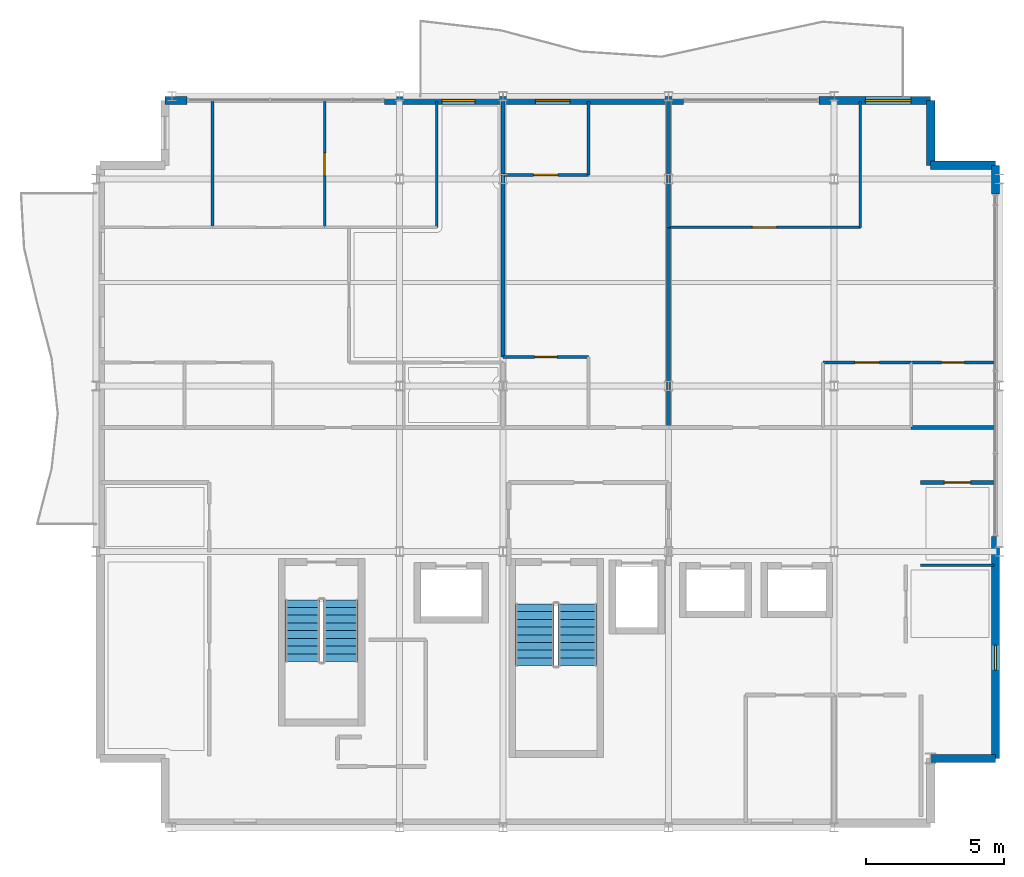
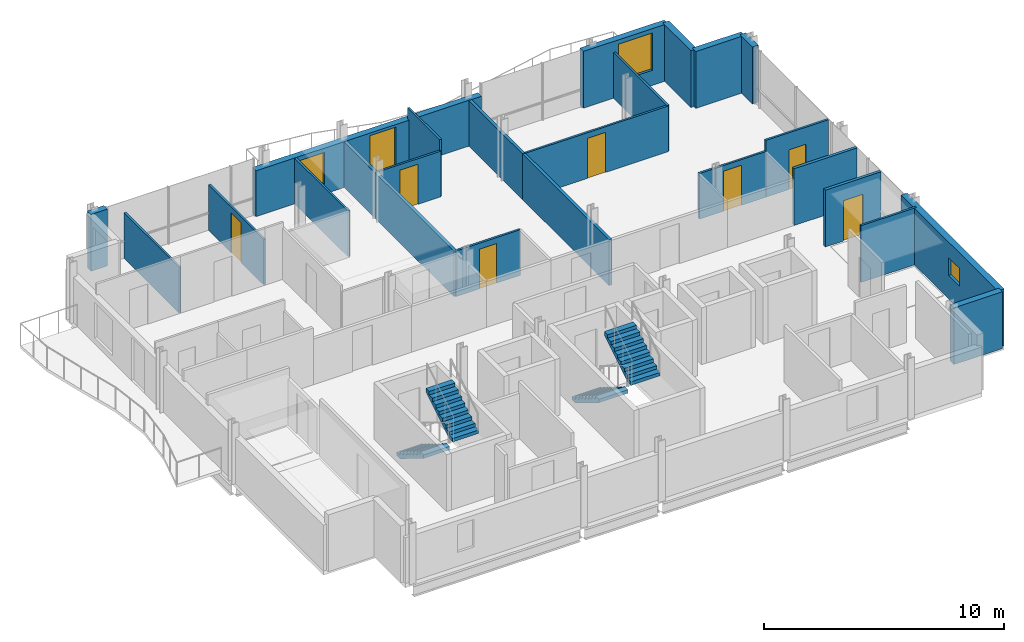
# One storey, part 10 of 12: 25 walls, 8 doors, 4 stair flights, 3 windows, 11 openings, 2 elements without a shape of their own.
"""IFC4 building model written with IfcOpenShell, lengths in metres."""

from ifc_helpers import new_model, si_unit, direction, frame, frame_2d, origin, place, context, subcontext, project, spatial, polyline, rectangle, outline, extrude, material, layer, layer_set, type_object, element, fill, aggregate, save


model = new_model("IFC4")

# Units and contexts
model_context = context("Model", 3, precision=1e-05, world=origin(), true_north=direction((0.0, 1.0)))
body_context = subcontext(model_context, "Body", "Model", "MODEL_VIEW")
ifc_project = project(units=[si_unit("LENGTHUNIT", "METRE"), si_unit("AREAUNIT", "SQUARE_METRE"), si_unit("VOLUMEUNIT", "CUBIC_METRE"), si_unit("PLANEANGLEUNIT", "RADIAN"), si_unit("MASSUNIT", "GRAM", prefix="KILO")], contexts=[model_context])

# Site, building, storey
site_placement = place(None, origin())
site = spatial("IfcSite", under=ifc_project, at=site_placement, CompositionType="ELEMENT")
building_placement = place(site_placement, origin())
building = spatial("IfcBuilding", under=site, at=building_placement, Name="Brevholm Reach", CompositionType="ELEMENT")
storey_placement = place(building_placement, frame((0.0, 0.0, 227.300048828125)))
storey = spatial("IfcBuildingStorey", under=building, at=storey_placement, Name="L69", CompositionType="ELEMENT", Elevation=227.300048828125)

# Walls
ifc_material_1 = material(Name="Concrete C40/50", Category="concrete")
ifc_layer_1 = layer(ifc_material_1, 0.300048828125)
ifc_layer_set_1 = layer_set([ifc_layer_1], Name="Concrete C40/50")
wall_type_1 = type_object("IfcWallType", Name="WAL-EXT-300", PredefinedType="STANDARD", material=ifc_layer_set_1)
for number, where, z_axis, x_axis, name in (
    (1, (57.5, 2.5, 0.0), (0.0, 0.0, 1.0), (1.0, 0.0, 0.0), "L69 Facade Wall WAL-L69-CSE2"),
    (2, (59.85009765625, 24.0, 0.0), (0.0, 0.0, 1.0), (-1.0, 0.0, 0.0), "L69 Facade Wall WAL-L69-CNE1"),
    (3, (57.5, 24.0, 0.0), (0.0, 0.0, 1.0), (0.0, 1.0, 0.0), "L69 Facade Wall WAL-L69-CNE2"),
):
    element("IfcWall", number, at=place(storey_placement, frame(where, z_axis=z_axis, x_axis=x_axis)), inside=storey, type_object=wall_type_1, Name=name, PredefinedType="STANDARD", context=body_context, shape_type="SweptSolid", body=[
        extrude(rectangle(XDim=2.35009765625, YDim=0.300048828125, at=frame_2d((1.175048828125, 0.0))), origin(), (0.0, 0.0, 1.0), 2.889892578125),
    ])

# Wall, opening, window
wall_1_placement = place(storey_placement, frame((59.85009765625, 2.5, 0.0), z_axis=(0.0, 0.0, 1.0), x_axis=(0.0, 1.0, 0.0)))
wall_1 = element("IfcWall", 4, at=wall_1_placement, inside=storey, type_object=wall_type_1, Name="L69 Facade Wall WAL-L69-E-S", PredefinedType="STANDARD", context=body_context, shape_type="SweptSolid", body=[
    extrude(rectangle(XDim=8.050048828125, YDim=0.300048828125, at=frame_2d((4.02490234375, 0.0))), origin(), (0.0, 0.0, 1.0), 2.889892578125),
])
opening_1_placement = place(wall_1_placement, frame((3.199951171875, 0.0, 1.199951171875)))
opening_1 = element("IfcOpeningElement", 5, at=opening_1_placement, cuts=wall_1, Name="Opening WN-09", PredefinedType="OPENING", context=body_context, shape_type="SweptSolid", body=[
    extrude(rectangle(XDim=0.89990234375, YDim=0.89990234375, at=frame_2d((0.449951171875, 0.449951171875))), frame((0.0, 0.159912109375, 0.0), z_axis=(0.0, -1.0, 0.0), x_axis=(1.0, 0.0, 0.0)), (0.0, 0.0, 1.0), 0.320068359375),
])
ifc_material_2 = material(Name="Dark Anodised Aluminium and Solar-Control IGU Glass", Category="aluminium")
window_type_1 = type_object("IfcWindowType", Name="WIN-POR-0900", PartitioningType="SINGLE_PANEL", PredefinedType="WINDOW", material=ifc_material_2)
window_1_placement = place(opening_1_placement, origin())
window_1 = element("IfcWindow", 6, at=window_1_placement, inside=storey, type_object=window_type_1, Name="L69 Window WIN-L69-ES-1", OverallHeight=0.89990234375, OverallWidth=0.89990234375, PartitioningType="SINGLE_PANEL", PredefinedType="WINDOW", context=body_context, shape_type="SweptSolid", body=[
    extrude(rectangle(XDim=0.89990234375, YDim=0.89990234375, at=frame_2d((0.449951171875, 0.449951171875))), frame((0.0, 0.030029296875, 0.0), z_axis=(0.0, -1.0, 0.0), x_axis=(1.0, 0.0, 0.0)), (0.0, 0.0, 1.0), 0.06005859375),
])
fill(opening_1, window_1)

# Walls
wall_2_placement = place(storey_placement, frame((59.85009765625, 22.949951171875, 0.0), z_axis=(0.0, 0.0, 1.0), x_axis=(0.0, 1.0, 0.0)))
element("IfcWall", 7, at=wall_2_placement, inside=storey, type_object=wall_type_1, Name="L69 Facade Wall WAL-L69-E-TOP", PredefinedType="STANDARD", context=body_context, shape_type="SweptSolid", body=[
    extrude(rectangle(XDim=1.050048828125, YDim=0.300048828125, at=frame_2d((0.52490234375, 0.0))), origin(), (0.0, 0.0, 1.0), 2.889892578125),
])
wall_3_placement = place(storey_placement, frame((29.75, 26.35009765625, 0.0), z_axis=(0.0, 0.0, 1.0), x_axis=(1.0, 0.0, 0.0)))
element("IfcWall", 8, at=wall_3_placement, inside=storey, type_object=wall_type_1, Name="L69 Facade Wall WAL-L69-NP-1", PredefinedType="STANDARD", context=body_context, shape_type="SweptSolid", body=[
    extrude(rectangle(XDim=0.800048828125, YDim=0.300048828125, at=frame_2d((0.39990234375, 0.0))), origin(), (0.0, 0.0, 1.0), 2.889892578125),
])

# Wall, openings, door, window
wall_4_placement = place(storey_placement, frame((37.699951171875, 26.35009765625, 0.0), z_axis=(0.0, 0.0, 1.0), x_axis=(1.0, 0.0, 0.0)))
wall_4 = element("IfcWall", 9, at=wall_4_placement, inside=storey, type_object=wall_type_1, Name="L69 Facade Wall WAL-L69-NP-2", PredefinedType="STANDARD", context=body_context, shape_type="SweptSolid", body=[
    extrude(rectangle(XDim=10.85009765625, YDim=0.300048828125, at=frame_2d((5.425048828125, 0.0))), origin(), (0.0, 0.0, 1.0), 2.331787109375),
])
opening_2_placement = place(wall_4_placement, frame((5.47509765625, 0.0, 0.0)))
opening_2 = element("IfcOpeningElement", 10, at=opening_2_placement, cuts=wall_4, Name="Opening BD-02", PredefinedType="OPENING", context=body_context, shape_type="SweptSolid", body=[
    extrude(rectangle(XDim=1.25, YDim=2.199951171875, at=frame_2d((0.625, 1.10009765625))), frame((0.0, 0.159912109375, 0.0), z_axis=(0.0, -1.0, 0.0), x_axis=(1.0, 0.0, 0.0)), (0.0, 0.0, 1.0), 0.320068359375),
])
opening_3_placement = place(wall_4_placement, frame((2.0810546875, 0.0, 0.511962890625)))
opening_3 = element("IfcOpeningElement", 11, at=opening_3_placement, cuts=wall_4, Name="Opening WN-08", PredefinedType="OPENING", context=body_context, shape_type="SweptSolid", body=[
    extrude(rectangle(XDim=1.199951171875, YDim=1.60009765625, at=frame_2d((0.60009765625, 0.800048828125))), frame((0.0, 0.159912109375, 0.0), z_axis=(0.0, -1.0, 0.0), x_axis=(1.0, 0.0, 0.0)), (0.0, 0.0, 1.0), 0.320068359375),
])
ifc_material_3 = material(Name="Dark Anodised Aluminium and Triple-Glazed Glass", Category="aluminium")
door_type_1 = type_object("IfcDoorType", Name="DOR-BALC-1250", OperationType="NOTDEFINED", PredefinedType="DOOR", material=ifc_material_3)
door_1_placement = place(opening_2_placement, origin())
door_1 = element("IfcDoor", 12, at=door_1_placement, inside=storey, type_object=door_type_1, Name="L69 Exterior Door DOR-L69-BL-NE", OperationType="SINGLE_SWING_RIGHT", OverallHeight=2.199951171875, OverallWidth=1.25, PredefinedType="DOOR", context=body_context, shape_type="SweptSolid", body=[
    extrude(rectangle(XDim=1.25, YDim=2.199951171875, at=frame_2d((0.625, 1.10009765625))), frame((0.0, 0.02490234375, 0.0), z_axis=(0.0, -1.0, 0.0), x_axis=(1.0, 0.0, 0.0)), (0.0, 0.0, 1.0), 0.050048828125),
])
fill(opening_2, door_1)
ifc_material_4 = material(Name="Dark Anodised Aluminium and Solar-Control IGU Glass", Category="aluminium")
window_type_2 = type_object("IfcWindowType", Name="WIN-RES-1200", PartitioningType="SINGLE_PANEL", PredefinedType="WINDOW", material=ifc_material_4)
window_2_placement = place(opening_3_placement, origin())
window_2 = element("IfcWindow", 13, at=window_2_placement, inside=storey, type_object=window_type_2, Name="L69 Window WIN-L69-NP-2", OverallHeight=1.60009765625, OverallWidth=1.199951171875, PartitioningType="SINGLE_PANEL", PredefinedType="WINDOW", context=body_context, shape_type="SweptSolid", body=[
    extrude(rectangle(XDim=1.199951171875, YDim=1.60009765625, at=frame_2d((0.60009765625, 0.800048828125))), frame((0.0, 0.030029296875, 0.0), z_axis=(0.0, -1.0, 0.0), x_axis=(1.0, 0.0, 0.0)), (0.0, 0.0, 1.0), 0.06005859375),
])
fill(opening_3, window_2)

# Wall, opening, window
wall_5_placement = place(storey_placement, frame((53.449951171875, 26.35009765625, 0.0), z_axis=(0.0, 0.0, 1.0), x_axis=(1.0, 0.0, 0.0)))
wall_5 = element("IfcWall", 14, at=wall_5_placement, inside=storey, type_object=wall_type_1, Name="L69 Facade Wall WAL-L69-NP-4", PredefinedType="STANDARD", context=body_context, shape_type="SweptSolid", body=[
    extrude(rectangle(XDim=4.050048828125, YDim=0.300048828125, at=frame_2d((2.02490234375, 0.0))), origin(), (0.0, 0.0, 1.0), 2.889892578125),
])
opening_4_placement = place(wall_5_placement, frame((1.679931640625, 0.0, 0.77001953125)))
opening_4 = element("IfcOpeningElement", 15, at=opening_4_placement, cuts=wall_5, Name="Opening WN-06", PredefinedType="OPENING", context=body_context, shape_type="SweptSolid", body=[
    extrude(rectangle(XDim=1.64990234375, YDim=1.89990234375, at=frame_2d((0.824951171875, 0.949951171875))), frame((0.0, 0.159912109375, 0.0), z_axis=(0.0, -1.0, 0.0), x_axis=(1.0, 0.0, 0.0)), (0.0, 0.0, 1.0), 0.320068359375),
])
ifc_material_5 = material(Name="Dark Anodised Aluminium and Solar-Control IGU Glass", Category="aluminium")
window_type_3 = type_object("IfcWindowType", Name="WIN-RES-1650", PartitioningType="SINGLE_PANEL", PredefinedType="WINDOW", material=ifc_material_5)
window_3_placement = place(opening_4_placement, origin())
window_3 = element("IfcWindow", 16, at=window_3_placement, inside=storey, type_object=window_type_3, Name="L69 Window WIN-L69-NP-4", OverallHeight=1.89990234375, OverallWidth=1.64990234375, PartitioningType="SINGLE_PANEL", PredefinedType="WINDOW", context=body_context, shape_type="SweptSolid", body=[
    extrude(rectangle(XDim=1.64990234375, YDim=1.89990234375, at=frame_2d((0.824951171875, 0.949951171875))), frame((0.0, 0.030029296875, 0.0), z_axis=(0.0, -1.0, 0.0), x_axis=(1.0, 0.0, 0.0)), (0.0, 0.0, 1.0), 0.06005859375),
])
fill(opening_4, window_3)

# Walls
ifc_material_6 = material(Name="Moisture-Resistant Acoustic Gypsum Stud Partition 100 mm", Category="gypsum")
ifc_layer_2 = layer(ifc_material_6, 0.10009765625)
ifc_layer_set_2 = layer_set([ifc_layer_2], Name="Moisture-Resistant Acoustic Gypsum Stud Partition 100 mm")
wall_type_2 = type_object("IfcWallType", Name="WAL-PRT-100", PredefinedType="PARTITIONING", material=ifc_layer_set_2)
wall_6_placement = place(storey_placement, frame((57.138671875, 9.5, 0.0), z_axis=(0.0, 0.0, 1.0), x_axis=(1.0, 0.0, 0.0)))
element("IfcWall", 17, at=wall_6_placement, inside=storey, type_object=wall_type_2, Name="L69 Internal Partition 012", PredefinedType="PARTITIONING", context=body_context, shape_type="SweptSolid", body=[
    extrude(rectangle(XDim=2.661376953125, YDim=0.10009765625, at=frame_2d((1.33056640625, 0.0))), origin(), (0.0, 0.0, 1.0), 2.889892578125),
])
wall_7_placement = place(storey_placement, frame((31.467041015625, 21.75, 0.0), z_axis=(0.0, 0.0, 1.0), x_axis=(0.0, 1.0, 0.0)))
element("IfcWall", 18, at=wall_7_placement, inside=storey, type_object=wall_type_2, Name="L69 Internal Partition 031", PredefinedType="PARTITIONING", context=body_context, shape_type="SweptSolid", body=[
    extrude(rectangle(XDim=4.570068359375, YDim=0.10009765625, at=frame_2d((2.28515625, 0.0))), origin(), (0.0, 0.0, 1.0), 2.325439453125),
])

# Wall, opening, door
wall_8_placement = place(storey_placement, frame((35.533935546875, 21.75, 0.0), z_axis=(0.0, 0.0, 1.0), x_axis=(0.0, 1.0, 0.0)))
wall_8 = element("IfcWall", 19, at=wall_8_placement, inside=storey, type_object=wall_type_2, Name="L69 Internal Partition 033", PredefinedType="PARTITIONING", context=body_context, shape_type="SweptSolid", body=[
    extrude(rectangle(XDim=4.570068359375, YDim=0.10009765625, at=frame_2d((2.28515625, 0.0))), origin(), (0.0, 0.0, 1.0), 2.325439453125),
])
opening_5_placement = place(wall_8_placement, frame((1.875, 0.0, 0.0)))
opening_5 = element("IfcOpeningElement", 20, at=opening_5_placement, cuts=wall_8, Name="Opening ID-03", PredefinedType="OPENING", context=body_context, shape_type="SweptSolid", body=[
    extrude(rectangle(XDim=0.820068359375, YDim=2.02001953125, at=frame_2d((0.41015625, 1.010009765625))), frame((0.0, 0.06005859375, 0.0), z_axis=(0.0, -1.0, 0.0), x_axis=(1.0, 0.0, 0.0)), (0.0, 0.0, 1.0), 0.1201171875),
])
ifc_material_7 = material(Name="Moisture-Resistant Painted Timber Internal Bathroom Door", Category="wood")
door_type_2 = type_object("IfcDoorType", Name="DOR-BATH-820", OperationType="NOTDEFINED", PredefinedType="DOOR", material=ifc_material_7)
door_2_placement = place(opening_5_placement, origin())
door_2 = element("IfcDoor", 21, at=door_2_placement, inside=storey, type_object=door_type_2, Name="L69 Access Door 025", OperationType="SINGLE_SWING_RIGHT", OverallHeight=2.02001953125, OverallWidth=0.820068359375, PredefinedType="DOOR", context=body_context, shape_type="SweptSolid", body=[
    extrude(rectangle(XDim=0.820068359375, YDim=2.02001953125, at=frame_2d((0.41015625, 1.010009765625))), frame((0.0, 0.02490234375, 0.0), z_axis=(0.0, -1.0, 0.0), x_axis=(1.0, 0.0, 0.0)), (0.0, 0.0, 1.0), 0.050048828125),
])
fill(opening_5, door_2)

# Wall
wall_9_placement = place(storey_placement, frame((39.60107421875, 21.75, 0.0), z_axis=(0.0, 0.0, 1.0), x_axis=(0.0, 1.0, 0.0)))
element("IfcWall", 22, at=wall_9_placement, inside=storey, type_object=wall_type_2, Name="L69 Internal Partition 035", PredefinedType="PARTITIONING", context=body_context, shape_type="SweptSolid", body=[
    extrude(rectangle(XDim=4.570068359375, YDim=0.10009765625, at=frame_2d((2.28515625, 0.0))), origin(), (0.0, 0.0, 1.0), 2.325439453125),
])

# Wall, opening, door
wall_10_placement = place(storey_placement, frame((42.00390625, 17.050048828125, 0.0), z_axis=(0.0, 0.0, 1.0), x_axis=(1.0, 0.0, 0.0)))
wall_10 = element("IfcWall", 23, at=wall_10_placement, inside=storey, type_object=wall_type_2, Name="L69 Internal Partition 043", PredefinedType="PARTITIONING", context=body_context, shape_type="SweptSolid", body=[
    extrude(rectangle(XDim=3.09619140625, YDim=0.10009765625, at=frame_2d((1.548095703125, 0.0))), origin(), (0.0, 0.0, 1.0), 2.325439453125),
])
opening_6_placement = place(wall_10_placement, frame((1.137939453125, 0.0, 0.0)))
opening_6 = element("IfcOpeningElement", 24, at=opening_6_placement, cuts=wall_10, Name="Opening ID-03", PredefinedType="OPENING", context=body_context, shape_type="SweptSolid", body=[
    extrude(rectangle(XDim=0.820068359375, YDim=2.02001953125, at=frame_2d((0.41015625, 1.010009765625))), frame((0.0, 0.06005859375, 0.0), z_axis=(0.0, -1.0, 0.0), x_axis=(1.0, 0.0, 0.0)), (0.0, 0.0, 1.0), 0.1201171875),
])
door_3_placement = place(opening_6_placement, origin())
door_3 = element("IfcDoor", 25, at=door_3_placement, inside=storey, type_object=door_type_2, Name="L69 Internal Door 019", OperationType="SINGLE_SWING_RIGHT", OverallHeight=2.02001953125, OverallWidth=0.820068359375, PredefinedType="DOOR", context=body_context, shape_type="SweptSolid", body=[
    extrude(rectangle(XDim=0.820068359375, YDim=2.02001953125, at=frame_2d((0.41015625, 1.010009765625))), frame((0.0, 0.02490234375, 0.0), z_axis=(0.0, -1.0, 0.0), x_axis=(1.0, 0.0, 0.0)), (0.0, 0.0, 1.0), 0.050048828125),
])
fill(opening_6, door_3)

# Wall
wall_11_placement = place(storey_placement, frame((45.10009765625, 23.64990234375, 0.0), z_axis=(0.0, 0.0, 1.0), x_axis=(0.0, 1.0, 0.0)))
element("IfcWall", 26, at=wall_11_placement, inside=storey, type_object=wall_type_2, Name="L69 Internal Partition 044", PredefinedType="PARTITIONING", context=body_context, shape_type="SweptSolid", body=[
    extrude(rectangle(XDim=2.670166015625, YDim=0.10009765625, at=frame_2d((1.3349609375, 0.0))), origin(), (0.0, 0.0, 1.0), 2.889892578125),
])

# Wall, opening, door
wall_12_placement = place(storey_placement, frame((42.00390625, 23.64990234375, 0.0), z_axis=(0.0, 0.0, 1.0), x_axis=(1.0, 0.0, 0.0)))
wall_12 = element("IfcWall", 27, at=wall_12_placement, inside=storey, type_object=wall_type_2, Name="L69 Internal Partition 045", PredefinedType="PARTITIONING", context=body_context, shape_type="SweptSolid", body=[
    extrude(rectangle(XDim=3.09619140625, YDim=0.10009765625, at=frame_2d((1.548095703125, 0.0))), origin(), (0.0, 0.0, 1.0), 2.325439453125),
])
opening_7_placement = place(wall_12_placement, frame((1.10791015625, 0.0, 0.0)))
opening_7 = element("IfcOpeningElement", 28, at=opening_7_placement, cuts=wall_12, Name="Opening ID-01", PredefinedType="OPENING", context=body_context, shape_type="SweptSolid", body=[
    extrude(rectangle(XDim=0.8798828125, YDim=2.0400390625, at=frame_2d((0.43994140625, 1.02001953125))), frame((0.0, 0.06005859375, 0.0), z_axis=(0.0, -1.0, 0.0), x_axis=(1.0, 0.0, 0.0)), (0.0, 0.0, 1.0), 0.1201171875),
])
ifc_material_8 = material(Name="Lacquered Ash Solid-Core Acoustic Internal Door", Category="timber")
door_type_3 = type_object("IfcDoorType", Name="DOR-INT-880", OperationType="NOTDEFINED", PredefinedType="DOOR", material=ifc_material_8)
door_4_placement = place(opening_7_placement, origin())
door_4 = element("IfcDoor", 29, at=door_4_placement, inside=storey, type_object=door_type_3, Name="L69 Internal Door 020", OperationType="SINGLE_SWING_LEFT", OverallHeight=2.0400390625, OverallWidth=0.8798828125, PredefinedType="DOOR", context=body_context, shape_type="SweptSolid", body=[
    extrude(rectangle(XDim=0.8798828125, YDim=2.0400390625, at=frame_2d((0.43994140625, 1.02001953125))), frame((0.0, 0.02490234375, 0.0), z_axis=(0.0, -1.0, 0.0), x_axis=(1.0, 0.0, 0.0)), (0.0, 0.0, 1.0), 0.050048828125),
])
fill(opening_7, door_4)

wall_13_placement = place(storey_placement, frame((56.800048828125, 16.85009765625, 0.0), z_axis=(0.0, 0.0, 1.0), x_axis=(1.0, 0.0, 0.0)))
wall_13 = element("IfcWall", 30, at=wall_13_placement, inside=storey, type_object=wall_type_2, Name="L69 Internal Partition 049", PredefinedType="PARTITIONING", context=body_context, shape_type="SweptSolid", body=[
    extrude(rectangle(XDim=3.02001953125, YDim=0.10009765625, at=frame_2d((1.510009765625, 0.0))), origin(), (0.0, 0.0, 1.0), 2.889892578125),
])
opening_8_placement = place(wall_13_placement, frame((1.10009765625, 0.0, 0.0)))
opening_8 = element("IfcOpeningElement", 31, at=opening_8_placement, cuts=wall_13, Name="Opening ID-03", PredefinedType="OPENING", context=body_context, shape_type="SweptSolid", body=[
    extrude(rectangle(XDim=0.820068359375, YDim=2.02001953125, at=frame_2d((0.41015625, 1.010009765625))), frame((0.0, 0.06005859375, 0.0), z_axis=(0.0, -1.0, 0.0), x_axis=(1.0, 0.0, 0.0)), (0.0, 0.0, 1.0), 0.1201171875),
])
door_5_placement = place(opening_8_placement, origin())
door_5 = element("IfcDoor", 32, at=door_5_placement, inside=storey, type_object=door_type_2, Name="L69 Internal Door 021", OperationType="SINGLE_SWING_RIGHT", OverallHeight=2.02001953125, OverallWidth=0.820068359375, PredefinedType="DOOR", context=body_context, shape_type="SweptSolid", body=[
    extrude(rectangle(XDim=0.820068359375, YDim=2.02001953125, at=frame_2d((0.41015625, 1.010009765625))), frame((0.0, 0.02490234375, 0.0), z_axis=(0.0, -1.0, 0.0), x_axis=(1.0, 0.0, 0.0)), (0.0, 0.0, 1.0), 0.050048828125),
])
fill(opening_8, door_5)

wall_14_placement = place(storey_placement, frame((53.60009765625, 16.85009765625, 0.0), z_axis=(0.0, 0.0, 1.0), x_axis=(1.0, 0.0, 0.0)))
wall_14 = element("IfcWall", 33, at=wall_14_placement, inside=storey, type_object=wall_type_2, Name="L69 Internal Partition 050", PredefinedType="PARTITIONING", context=body_context, shape_type="SweptSolid", body=[
    extrude(rectangle(XDim=3.19580078125, YDim=0.10009765625, at=frame_2d((1.597900390625, 0.0))), origin(), (0.0, 0.0, 1.0), 2.325439453125),
])
opening_9_placement = place(wall_14_placement, frame((1.157958984375, 0.0, 0.0)))
opening_9 = element("IfcOpeningElement", 34, at=opening_9_placement, cuts=wall_14, Name="Opening ID-01", PredefinedType="OPENING", context=body_context, shape_type="SweptSolid", body=[
    extrude(rectangle(XDim=0.8798828125, YDim=2.0400390625, at=frame_2d((0.43994140625, 1.02001953125))), frame((0.0, 0.06005859375, 0.0), z_axis=(0.0, -1.0, 0.0), x_axis=(1.0, 0.0, 0.0)), (0.0, 0.0, 1.0), 0.1201171875),
])
door_6_placement = place(opening_9_placement, origin())
door_6 = element("IfcDoor", 35, at=door_6_placement, inside=storey, type_object=door_type_3, Name="L69 Internal Door 022", OperationType="SINGLE_SWING_LEFT", OverallHeight=2.0400390625, OverallWidth=0.8798828125, PredefinedType="DOOR", context=body_context, shape_type="SweptSolid", body=[
    extrude(rectangle(XDim=0.8798828125, YDim=2.0400390625, at=frame_2d((0.43994140625, 1.02001953125))), frame((0.0, 0.02490234375, 0.0), z_axis=(0.0, -1.0, 0.0), x_axis=(1.0, 0.0, 0.0)), (0.0, 0.0, 1.0), 0.050048828125),
])
fill(opening_9, door_6)

# Wall
wall_15_placement = place(storey_placement, frame((54.949951171875, 21.75, 0.0), z_axis=(0.0, 0.0, 1.0), x_axis=(0.0, 1.0, 0.0)))
element("IfcWall", 36, at=wall_15_placement, inside=storey, type_object=wall_type_2, Name="L69 Internal Partition 052", PredefinedType="PARTITIONING", context=body_context, shape_type="SweptSolid", body=[
    extrude(rectangle(XDim=4.570068359375, YDim=0.10009765625, at=frame_2d((2.28515625, 0.0))), origin(), (0.0, 0.0, 1.0), 2.325439453125),
])

# Wall, opening, door
wall_16_placement = place(storey_placement, frame((48.00390625, 21.75, 0.0), z_axis=(0.0, 0.0, 1.0), x_axis=(1.0, 0.0, 0.0)))
wall_16 = element("IfcWall", 37, at=wall_16_placement, inside=storey, type_object=wall_type_2, Name="L69 Internal Partition 053", PredefinedType="PARTITIONING", context=body_context, shape_type="SweptSolid", body=[
    extrude(rectangle(XDim=6.946044921875, YDim=0.10009765625, at=frame_2d((3.47314453125, 0.0))), origin(), (0.0, 0.0, 1.0), 2.325439453125),
])
opening_10_placement = place(wall_16_placement, frame((3.032958984375, 0.0, 0.0)))
opening_10 = element("IfcOpeningElement", 38, at=opening_10_placement, cuts=wall_16, Name="Opening ID-01", PredefinedType="OPENING", context=body_context, shape_type="SweptSolid", body=[
    extrude(rectangle(XDim=0.8798828125, YDim=2.0400390625, at=frame_2d((0.43994140625, 1.02001953125))), frame((0.0, 0.06005859375, 0.0), z_axis=(0.0, -1.0, 0.0), x_axis=(1.0, 0.0, 0.0)), (0.0, 0.0, 1.0), 0.1201171875),
])
door_7_placement = place(opening_10_placement, origin())
door_7 = element("IfcDoor", 39, at=door_7_placement, inside=storey, type_object=door_type_3, Name="L69 Internal Door 023", OperationType="SINGLE_SWING_RIGHT", OverallHeight=2.0400390625, OverallWidth=0.8798828125, PredefinedType="DOOR", context=body_context, shape_type="SweptSolid", body=[
    extrude(rectangle(XDim=0.8798828125, YDim=2.0400390625, at=frame_2d((0.43994140625, 1.02001953125))), frame((0.0, 0.02490234375, 0.0), z_axis=(0.0, -1.0, 0.0), x_axis=(1.0, 0.0, 0.0)), (0.0, 0.0, 1.0), 0.050048828125),
])
fill(opening_10, door_7)

ifc_material_9 = material(Name="Twin-Stud Acoustic Fire-Rated Gypsum Partition 140 mm", Category="gypsum")
ifc_layer_3 = layer(ifc_material_9, 0.139892578125)
ifc_layer_set_3 = layer_set([ifc_layer_3], Name="Twin-Stud Acoustic Fire-Rated Gypsum Partition 140 mm")
wall_type_3 = type_object("IfcWallType", Name="WAL-PRT-140", PredefinedType="PARTITIONING", material=ifc_layer_set_3)
wall_17_placement = place(storey_placement, frame((57.138671875, 12.5, 0.0), z_axis=(0.0, 0.0, 1.0), x_axis=(1.0, 0.0, 0.0)))
wall_17 = element("IfcWall", 40, at=wall_17_placement, inside=storey, type_object=wall_type_3, Name="L69 Internal Partition 013", PredefinedType="PARTITIONING", context=body_context, shape_type="SweptSolid", body=[
    extrude(rectangle(XDim=2.672607421875, YDim=0.139892578125, at=frame_2d((1.33642578125, 0.0))), origin(), (0.0, 0.0, 1.0), 2.889892578125),
])
opening_11_placement = place(wall_17_placement, frame((0.861328125, 0.0, 0.0)))
opening_11 = element("IfcOpeningElement", 41, at=opening_11_placement, cuts=wall_17, Name="Opening ID-30", PredefinedType="OPENING", context=body_context, shape_type="SweptSolid", body=[
    extrude(rectangle(XDim=0.949951171875, YDim=2.050048828125, at=frame_2d((0.47509765625, 1.02490234375))), frame((0.0, 0.079833984375, 0.0), z_axis=(0.0, -1.0, 0.0), x_axis=(1.0, 0.0, 0.0)), (0.0, 0.0, 1.0), 0.159912109375),
])
ifc_material_10 = material(Name="European Oak Veneered Solid-Core Fire Entrance Door", Category="timber")
door_type_4 = type_object("IfcDoorType", Name="DOR-FLT-FD30S", OperationType="NOTDEFINED", PredefinedType="DOOR", material=ifc_material_10)
door_8_placement = place(opening_11_placement, origin())
door_8 = element("IfcDoor", 42, at=door_8_placement, inside=storey, type_object=door_type_4, Name="L69 Internal Door 010", OperationType="SINGLE_SWING_LEFT", OverallHeight=2.050048828125, OverallWidth=0.949951171875, PredefinedType="DOOR", context=body_context, shape_type="SweptSolid", body=[
    extrude(rectangle(XDim=0.949951171875, YDim=2.050048828125, at=frame_2d((0.47509765625, 1.02490234375))), frame((0.0, 0.02490234375, 0.0), z_axis=(0.0, -1.0, 0.0), x_axis=(1.0, 0.0, 0.0)), (0.0, 0.0, 1.0), 0.050048828125),
])
fill(opening_11, door_8)

# Walls
wall_18_placement = place(storey_placement, frame((56.788818359375, 14.5, 0.0), z_axis=(0.0, 0.0, 1.0), x_axis=(1.0, 0.0, 0.0)))
element("IfcWall", 43, at=wall_18_placement, inside=storey, type_object=wall_type_3, Name="L69 Internal Partition 021", PredefinedType="PARTITIONING", context=body_context, shape_type="SweptSolid", body=[
    extrude(rectangle(XDim=3.03125, YDim=0.139892578125, at=frame_2d((1.515625, 0.0))), origin(), (0.0, 0.0, 1.0), 2.889892578125),
])
wall_19_placement = place(storey_placement, frame((42.0, 23.638671875, 0.0), z_axis=(0.0, 0.0, 1.0), x_axis=(0.0, 1.0, 0.0)))
element("IfcWall", 44, at=wall_19_placement, inside=storey, type_object=wall_type_3, Name="L69 Internal Partition 040", PredefinedType="PARTITIONING", context=body_context, shape_type="SweptSolid", body=[
    extrude(rectangle(XDim=2.681396484375, YDim=0.139892578125, at=frame_2d((1.3408203125, 0.0))), origin(), (0.0, 0.0, 1.0), 2.325439453125),
])
wall_20_placement = place(storey_placement, frame((42.0, 17.042724609375, 0.0), z_axis=(0.0, 0.0, 1.0), x_axis=(0.0, 1.0, 0.0)))
element("IfcWall", 45, at=wall_20_placement, inside=storey, type_object=wall_type_3, Name="L69 Internal Partition 041", PredefinedType="PARTITIONING", context=body_context, shape_type="SweptSolid", body=[
    extrude(rectangle(XDim=6.614501953125, YDim=0.139892578125, at=frame_2d((3.30712890625, 0.0))), origin(), (0.0, 0.0, 1.0), 2.325439453125),
])
wall_21_placement = place(storey_placement, frame((48.0, 21.73876953125, 0.0), z_axis=(0.0, 0.0, 1.0), x_axis=(0.0, 1.0, 0.0)))
element("IfcWall", 46, at=wall_21_placement, inside=storey, type_object=wall_type_3, Name="L69 Internal Partition 046", PredefinedType="PARTITIONING", context=body_context, shape_type="SweptSolid", body=[
    extrude(rectangle(XDim=4.581298828125, YDim=0.139892578125, at=frame_2d((2.29052734375, 0.0))), origin(), (0.0, 0.0, 1.0), 2.325439453125),
])
wall_22_placement = place(storey_placement, frame((48.0, 14.50390625, 0.0), z_axis=(0.0, 0.0, 1.0), x_axis=(0.0, 1.0, 0.0)))
element("IfcWall", 47, at=wall_22_placement, inside=storey, type_object=wall_type_3, Name="L69 Internal Partition 047", PredefinedType="PARTITIONING", context=body_context, shape_type="SweptSolid", body=[
    extrude(rectangle(XDim=7.25341796875, YDim=0.139892578125, at=frame_2d((3.626708984375, 0.0))), origin(), (0.0, 0.0, 1.0), 2.325439453125),
])

# Stair, stair flights
ifc_material_11 = material(Name="Precast Concrete C40/50", Category="concrete")
stair_type_1 = type_object("IfcStairType", Name="STR-ESC-1250", PredefinedType="DOUBLE_RETURN_STAIR", material=ifc_material_11)
stair_1_placement = place(storey_placement, origin())
stair_1 = element("IfcStair", 48, at=stair_1_placement, inside=storey, type_object=stair_type_1, Name="L69 ST-3", PredefinedType="DOUBLE_RETURN_STAIR")
ifc_material_12 = material(Name="Precast Concrete C40/50", Category="concrete")
ifc_layer_4 = layer(ifc_material_12, 0.1650390625)
ifc_layer_set_4 = layer_set([ifc_layer_4], Name="Precast Concrete C40/50")
stair_flight_type_1 = type_object("IfcStairFlightType", Name="STF-PRC-165", PredefinedType="STRAIGHT", material=ifc_layer_set_4)
stair_flight_1_placement = place(storey_placement, frame((34.72509765625, 8.25, 0.0), z_axis=(0.0, 0.0, 1.0), x_axis=(0.0, -1.0, 0.0)))
stair_flight_1 = element("IfcStairFlight", 49, at=stair_flight_1_placement, type_object=stair_flight_type_1, Name="ST-3 flight 1", NumberOfRisers=9, NumberOfTreads=8, PredefinedType="STRAIGHT", RiserHeight=0.172222222, TreadLength=0.28, context=body_context, shape_type="SweptSolid", body=[
    extrude(outline(polyline([(0.0, 0.0), (0.0, 0.172119140625), (0.280029296875, 0.172119140625), (0.280029296875, 0.344482421875), (0.56005859375, 0.344482421875), (0.56005859375, 0.5166015625), (0.840087890625, 0.5166015625), (0.840087890625, 0.68896484375), (1.1201171875, 0.68896484375), (1.1201171875, 0.861083984375), (1.39990234375, 0.861083984375), (1.39990234375, 1.033447265625), (1.679931640625, 1.033447265625), (1.679931640625, 1.20556640625), (1.9599609375, 1.20556640625), (1.9599609375, 1.377685546875), (2.239990234375, 1.377685546875), (2.239990234375, 1.550048828125), (2.239990234375, 1.201904296875), (0.2861328125, 0.0), (0.0, 0.0)])), frame((0.0, 0.625, 0.0), z_axis=(0.0, -1.0, 0.0), x_axis=(1.0, 0.0, 0.0)), (0.0, 0.0, 1.0), 1.25),
])
stair_flight_2_placement = place(storey_placement, frame((36.125, 6.010009765625, 1.550048828125), z_axis=(0.0, 0.0, 1.0), x_axis=(0.0, 1.0, 0.0)))
stair_flight_2 = element("IfcStairFlight", 50, at=stair_flight_2_placement, type_object=stair_flight_type_1, Name="ST-3 flight 2", NumberOfRisers=9, NumberOfTreads=8, PredefinedType="STRAIGHT", RiserHeight=0.172222222, TreadLength=0.28, context=body_context, shape_type="SweptSolid", body=[
    extrude(outline(polyline([(0.0, 0.0), (0.0, 0.172119140625), (0.280029296875, 0.172119140625), (0.280029296875, 0.344482421875), (0.56005859375, 0.344482421875), (0.56005859375, 0.5166015625), (0.840087890625, 0.5166015625), (0.840087890625, 0.68896484375), (1.1201171875, 0.68896484375), (1.1201171875, 0.861083984375), (1.39990234375, 0.861083984375), (1.39990234375, 1.033447265625), (1.679931640625, 1.033447265625), (1.679931640625, 1.20556640625), (1.9599609375, 1.20556640625), (1.9599609375, 1.377685546875), (2.239990234375, 1.377685546875), (2.239990234375, 1.550048828125), (2.239990234375, 1.201904296875), (0.2861328125, 0.0), (0.0, 0.0)])), frame((0.0, 0.625, 0.0), z_axis=(0.0, -1.0, 0.0), x_axis=(1.0, 0.0, 0.0)), (0.0, 0.0, 1.0), 1.25),
])
aggregate(stair_1, [stair_flight_1, stair_flight_2])

ifc_material_13 = material(Name="Precast Concrete C40/50", Category="concrete")
stair_type_2 = type_object("IfcStairType", Name="STR-ESC-1400", PredefinedType="DOUBLE_RETURN_STAIR", material=ifc_material_13)
stair_2_placement = place(storey_placement, origin())
stair_2 = element("IfcStair", 51, at=stair_2_placement, inside=storey, type_object=stair_type_2, Name="L69 ST-2", PredefinedType="DOUBLE_RETURN_STAIR")
ifc_material_14 = material(Name="Precast Concrete C40/50", Category="concrete")
ifc_layer_5 = layer(ifc_material_14, 0.18505859375)
ifc_layer_set_5 = layer_set([ifc_layer_5], Name="Precast Concrete C40/50")
stair_flight_type_2 = type_object("IfcStairFlightType", Name="STF-PRC-185", PredefinedType="STRAIGHT", material=ifc_layer_set_5)
stair_flight_3_placement = place(storey_placement, frame((43.14990234375, 8.10009765625, 0.0), z_axis=(0.0, 0.0, 1.0), x_axis=(0.0, -1.0, 0.0)))
stair_flight_3 = element("IfcStairFlight", 52, at=stair_flight_3_placement, type_object=stair_flight_type_2, Name="ST-2 flight 1", NumberOfRisers=9, NumberOfTreads=8, PredefinedType="STRAIGHT", RiserHeight=0.172222222, TreadLength=0.28, context=body_context, shape_type="SweptSolid", body=[
    extrude(outline(polyline([(0.0, 0.0), (0.0, 0.172119140625), (0.280029296875, 0.172119140625), (0.280029296875, 0.344482421875), (0.56005859375, 0.344482421875), (0.56005859375, 0.5166015625), (0.840087890625, 0.5166015625), (0.840087890625, 0.68896484375), (1.1201171875, 0.68896484375), (1.1201171875, 0.861083984375), (1.39990234375, 0.861083984375), (1.39990234375, 1.033447265625), (1.679931640625, 1.033447265625), (1.679931640625, 1.20556640625), (1.9599609375, 1.20556640625), (1.9599609375, 1.377685546875), (2.239990234375, 1.377685546875), (2.239990234375, 1.550048828125), (2.239990234375, 1.201904296875), (0.2861328125, 0.0), (0.0, 0.0)])), frame((0.0, 0.699951171875, 0.0), z_axis=(0.0, -1.0, 0.0), x_axis=(1.0, 0.0, 0.0)), (0.0, 0.0, 1.0), 1.39990234375),
])
stair_flight_4_placement = place(storey_placement, frame((44.699951171875, 5.860107421875, 1.550048828125), z_axis=(0.0, 0.0, 1.0), x_axis=(0.0, 1.0, 0.0)))
stair_flight_4 = element("IfcStairFlight", 53, at=stair_flight_4_placement, type_object=stair_flight_type_2, Name="ST-2 flight 2", NumberOfRisers=9, NumberOfTreads=8, PredefinedType="STRAIGHT", RiserHeight=0.172222222, TreadLength=0.28, context=body_context, shape_type="SweptSolid", body=[
    extrude(outline(polyline([(0.0, 0.0), (0.0, 0.172119140625), (0.280029296875, 0.172119140625), (0.280029296875, 0.344482421875), (0.56005859375, 0.344482421875), (0.56005859375, 0.5166015625), (0.840087890625, 0.5166015625), (0.840087890625, 0.68896484375), (1.1201171875, 0.68896484375), (1.1201171875, 0.861083984375), (1.39990234375, 0.861083984375), (1.39990234375, 1.033447265625), (1.679931640625, 1.033447265625), (1.679931640625, 1.20556640625), (1.9599609375, 1.20556640625), (1.9599609375, 1.377685546875), (2.239990234375, 1.377685546875), (2.239990234375, 1.550048828125), (2.239990234375, 1.201904296875), (0.2861328125, 0.0), (0.0, 0.0)])), frame((0.0, 0.699951171875, 0.0), z_axis=(0.0, -1.0, 0.0), x_axis=(1.0, 0.0, 0.0)), (0.0, 0.0, 1.0), 1.39990234375),
])
aggregate(stair_2, [stair_flight_3, stair_flight_4])

save(model, "model.ifc")
